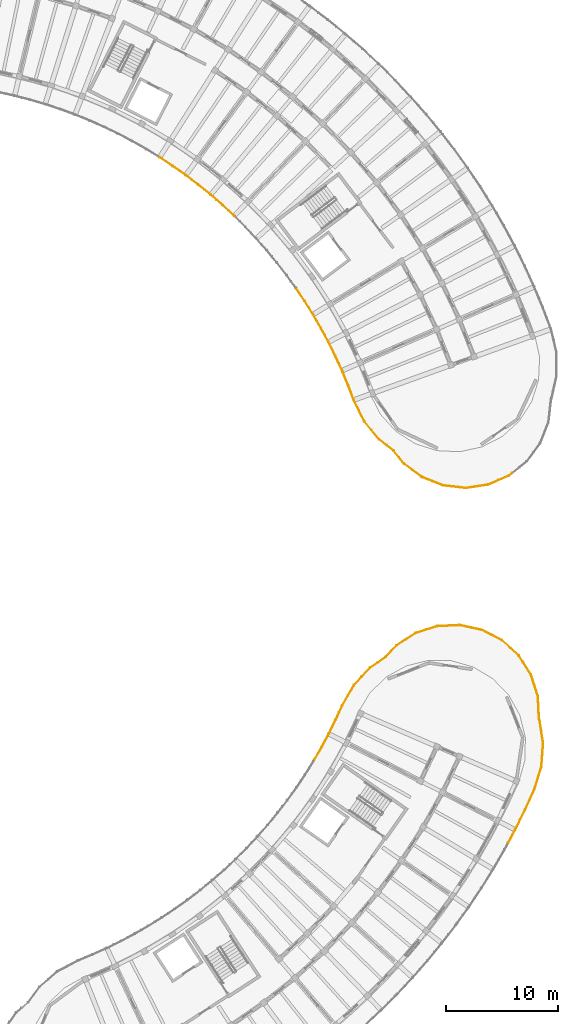
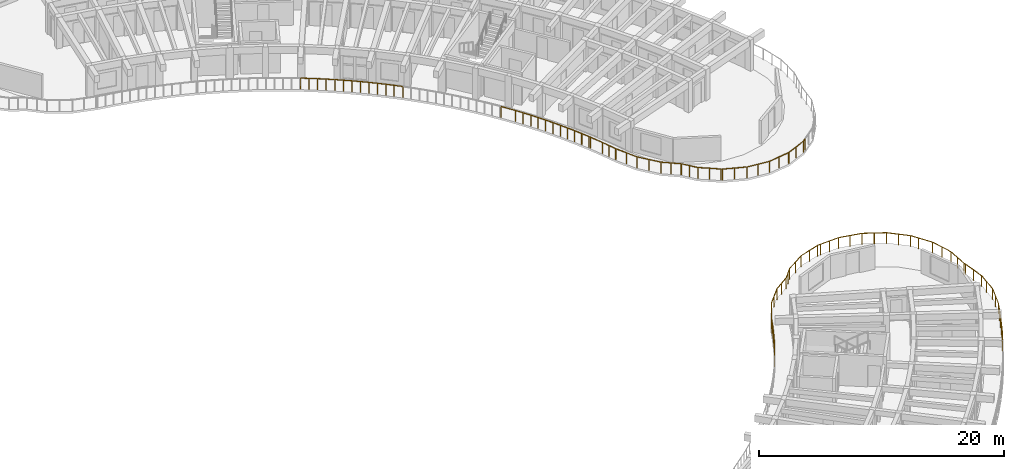
# One storey, part 79 of 83: 10 railings.
"""IFC4 building model written with IfcOpenShell, lengths in metres."""

from ifc_helpers import new_model, si_unit, direction, frame, origin, origin_2d, place, context, subcontext, project, spatial, circle, extrude, material, type_object, element, save


model = new_model("IFC4")

# Units and contexts
model_context = context("Model", 3, precision=1e-05, world=origin(), true_north=direction((0.0, 1.0)))
body_context = subcontext(model_context, "Body", "Model", "MODEL_VIEW")
ifc_project = project(units=[si_unit("LENGTHUNIT", "METRE"), si_unit("AREAUNIT", "SQUARE_METRE"), si_unit("VOLUMEUNIT", "CUBIC_METRE"), si_unit("PLANEANGLEUNIT", "RADIAN"), si_unit("MASSUNIT", "GRAM", prefix="KILO")], contexts=[model_context])

# Site, building, storey
site_placement = place(None, origin())
site = spatial("IfcSite", under=ifc_project, at=site_placement, CompositionType="ELEMENT")
building_placement = place(site_placement, origin())
building = spatial("IfcBuilding", under=site, at=building_placement, Name="Tanwirah Colonnade Gardens", CompositionType="ELEMENT")
storey_placement = place(building_placement, frame((0.0, 0.0, 25.639892578125)))
storey = spatial("IfcBuildingStorey", under=building, at=storey_placement, Name="L07", CompositionType="ELEMENT", Elevation=25.639892578125)

# Railings
ifc_material = material(Name="Precast concrete C40/50", Category="concrete")
railing_type_1 = type_object("IfcRailingType", Name="BAL-EXT110", PredefinedType="BALUSTRADE", material=ifc_material)
railing_1_placement = place(storey_placement, frame((157.674560546875, 42.6748046875, 0.0)))
element("IfcRailing", 1, at=railing_1_placement, inside=storey, type_object=railing_type_1, Name="Block D L07 Balcony Ribbon Balustrade 5", PredefinedType="BALUSTRADE", context=body_context, shape_type="SweptSolid", body=[
    extrude(circle(Radius=0.02392578125, at=origin_2d()), frame((0.015625, 0.027099609375, 1.076171875), z_axis=(0.500980797025, 0.865458399354, 0.0), x_axis=(-0.865458399354, 0.500980797025, 0.0)), (0.0, 0.0, 1.0), 1.15185546875),
    extrude(circle(Radius=0.02392578125, at=origin_2d()), frame((0.624267578125, 1.080810546875, 1.076171875), z_axis=(0.472323466806, 0.881425290484, 0.0), x_axis=(-0.881425290484, 0.472323466806, 0.0)), (0.0, 0.0, 1.0), 1.33154296875),
    extrude(circle(Radius=0.02392578125, at=origin_2d()), frame((1.283203125, 2.3125, 1.076171875), z_axis=(0.443286097627, 0.896380184771, 0.0), x_axis=(-0.896380184771, 0.443286097627, 0.0)), (0.0, 0.0, 1.0), 1.33154296875),
    extrude(circle(Radius=0.02392578125, at=origin_2d()), frame((1.9013671875, 3.56494140625, 1.076171875), z_axis=(0.413604450522, 0.9104566758, 0.0), x_axis=(-0.9104566758, 0.413604450522, 0.0)), (0.0, 0.0, 1.0), 1.32763671875),
    extrude(circle(Radius=0.02392578125, at=origin_2d()), frame((2.47900390625, 4.8291015625, 1.076171875), z_axis=(0.499001626878, 0.866601047988, 0.0), x_axis=(-0.866601047988, 0.499001626878, 0.0)), (0.0, 0.0, 1.0), 2.029541015625),
    extrude(circle(Radius=0.02392578125, at=origin_2d()), frame((3.528564453125, 6.637939453125, 1.076171875), z_axis=(0.679316204003, 0.733845688806, 0.0), x_axis=(-0.733845688806, 0.679316204003, 0.0)), (0.0, 0.0, 1.0), 0.94482421875),
    extrude(circle(Radius=0.02099609375, at=origin_2d()), origin(), (0.0, 0.0, 1.0), 1.049072265625),
    extrude(circle(Radius=0.02099609375, at=origin_2d()), frame((0.6083984375, 1.051025390625, 0.0)), (0.0, 0.0, 1.0), 1.049072265625),
    extrude(circle(Radius=0.02099609375, at=origin_2d()), frame((0.93896484375, 1.66748046875, 0.0)), (0.0, 0.0, 1.0), 1.049072265625),
    extrude(circle(Radius=0.02099609375, at=origin_2d()), frame((1.26806640625, 2.281982421875, 0.0)), (0.0, 0.0, 1.0), 1.049072265625),
    extrude(circle(Radius=0.02099609375, at=origin_2d()), frame((1.578125, 2.9091796875, 0.0)), (0.0, 0.0, 1.0), 1.049072265625),
    extrude(circle(Radius=0.02099609375, at=origin_2d()), frame((1.88720703125, 3.533935546875, 0.0)), (0.0, 0.0, 1.0), 1.049072265625),
    extrude(circle(Radius=0.02099609375, at=origin_2d()), frame((2.17578125, 4.169189453125, 0.0)), (0.0, 0.0, 1.0), 1.049072265625),
    extrude(circle(Radius=0.02099609375, at=origin_2d()), frame((2.46337890625, 4.802001953125, 0.0)), (0.0, 0.0, 1.0), 1.049072265625),
    extrude(circle(Radius=0.02099609375, at=origin_2d()), frame((2.9853515625, 5.70849609375, 0.0)), (0.0, 0.0, 1.0), 1.049072265625),
    extrude(circle(Radius=0.02099609375, at=origin_2d()), frame((3.50732421875, 6.614990234375, 0.0)), (0.0, 0.0, 1.0), 1.049072265625),
    extrude(circle(Radius=0.02099609375, at=origin_2d()), frame((4.191650390625, 7.354248046875, 0.0)), (0.0, 0.0, 1.0), 1.049072265625),
])
railing_2_placement = place(storey_placement, frame((161.8662109375, 50.029052734375, 0.0)))
element("IfcRailing", 2, at=railing_2_placement, inside=storey, type_object=railing_type_1, Name="Block D L07 Balcony Ribbon Balustrade 6", PredefinedType="BALUSTRADE", context=body_context, shape_type="SweptSolid", body=[
    extrude(circle(Radius=0.02392578125, at=origin_2d()), frame((0.021240234375, 0.02294921875, 1.076171875), z_axis=(0.679209558876, 0.733944395122, 0.0), x_axis=(-0.733944395122, 0.679209558876, 0.0)), (0.0, 0.0, 1.0), 1.016845703125),
    extrude(circle(Radius=0.02392578125, at=origin_2d()), frame((0.759033203125, 0.809814453125, 1.076171875), z_axis=(0.825478575894, 0.564433451117, 0.0), x_axis=(-0.564433451117, 0.825478575894, 0.0)), (0.0, 0.0, 1.0), 1.64990234375),
    extrude(circle(Radius=0.02392578125, at=origin_2d()), frame((2.181884765625, 1.794189453125, 1.076171875), z_axis=(0.672364089098, 0.740220596641, 0.0), x_axis=(-0.740220596641, 0.672364089098, 0.0)), (0.0, 0.0, 1.0), 1.3154296875),
    extrude(circle(Radius=0.02392578125, at=origin_2d()), frame((3.11376953125, 2.807861328125, 1.076171875), z_axis=(0.841052487172, 0.540953522792, 0.0), x_axis=(-0.540953522792, 0.841052487172, 0.0)), (0.0, 0.0, 1.0), 1.95263671875),
    extrude(circle(Radius=0.02392578125, at=origin_2d()), frame((4.81201171875, 3.890625, 1.076171875), z_axis=(0.952407264787, 0.304828479609, 0.0), x_axis=(-0.304828479609, 0.952407264787, 0.0)), (0.0, 0.0, 1.0), 1.95263671875),
    extrude(circle(Radius=0.02392578125, at=origin_2d()), frame((6.732666015625, 4.496826171875, 1.076171875), z_axis=(0.998858290933, 0.047771483479, 0.0), x_axis=(-0.047771483479, 0.998858290933, 0.0)), (0.0, 0.0, 1.0), 0.218505859375),
    extrude(circle(Radius=0.02099609375, at=origin_2d()), origin(), (0.0, 0.0, 1.0), 1.049072265625),
    extrude(circle(Radius=0.02099609375, at=origin_2d()), frame((0.733154296875, 0.792236328125, 0.0)), (0.0, 0.0, 1.0), 1.049072265625),
    extrude(circle(Radius=0.02099609375, at=origin_2d()), frame((1.43994140625, 1.275390625, 0.0)), (0.0, 0.0, 1.0), 1.049072265625),
    extrude(circle(Radius=0.02099609375, at=origin_2d()), frame((2.146728515625, 1.7587890625, 0.0)), (0.0, 0.0, 1.0), 1.049072265625),
    extrude(circle(Radius=0.02099609375, at=origin_2d()), frame((2.6240234375, 2.281005859375, 0.0)), (0.0, 0.0, 1.0), 1.049072265625),
    extrude(circle(Radius=0.02099609375, at=origin_2d()), frame((3.08740234375, 2.791015625, 0.0)), (0.0, 0.0, 1.0), 1.049072265625),
    extrude(circle(Radius=0.02099609375, at=origin_2d()), frame((3.934814453125, 3.3359375, 0.0)), (0.0, 0.0, 1.0), 1.049072265625),
    extrude(circle(Radius=0.02099609375, at=origin_2d()), frame((4.7822265625, 3.881103515625, 0.0)), (0.0, 0.0, 1.0), 1.049072265625),
    extrude(circle(Radius=0.02099609375, at=origin_2d()), frame((5.74169921875, 4.188232421875, 0.0)), (0.0, 0.0, 1.0), 1.049072265625),
    extrude(circle(Radius=0.02099609375, at=origin_2d()), frame((6.701416015625, 4.495361328125, 0.0)), (0.0, 0.0, 1.0), 1.049072265625),
    extrude(circle(Radius=0.02099609375, at=origin_2d()), frame((6.982177734375, 4.5087890625, 0.0)), (0.0, 0.0, 1.0), 1.049072265625),
])
railing_3_placement = place(storey_placement, frame((168.848388671875, 54.537841796875, 0.0)))
element("IfcRailing", 3, at=railing_3_placement, inside=storey, type_object=railing_type_1, Name="Block D L07 Balcony Ribbon Balustrade 7", PredefinedType="BALUSTRADE", context=body_context, shape_type="SweptSolid", body=[
    extrude(circle(Radius=0.02392578125, at=origin_2d()), frame((0.03125, 0.00146484375, 1.076171875), z_axis=(0.998846693933, 0.048013352499, 0.0), x_axis=(-0.048013352499, 0.998846693933, 0.0)), (0.0, 0.0, 1.0), 1.67138671875),
    extrude(circle(Radius=0.02392578125, at=origin_2d()), frame((1.762451171875, 0.07666015625, 1.076171875), z_axis=(0.977238649048, -0.212142930137, 0.0), x_axis=(0.212142930137, 0.977238649048, 0.0)), (0.0, 0.0, 1.0), 1.95263671875),
    extrude(circle(Radius=0.02392578125, at=origin_2d()), frame((3.72900390625, -0.358642578125, 1.076171875), z_axis=(0.889032840615, -0.457843432091, 0.0), x_axis=(0.457843432091, 0.889032840615, 0.0)), (0.0, 0.0, 1.0), 1.95263671875),
    extrude(circle(Radius=0.02392578125, at=origin_2d()), frame((5.515869140625, -1.287841796875, 1.076171875), z_axis=(0.740214102403, -0.67237123868, 0.0), x_axis=(0.67237123868, 0.740214102403, 0.0)), (0.0, 0.0, 1.0), 1.95263671875),
    extrude(circle(Radius=0.02392578125, at=origin_2d()), frame((7.001220703125, -2.648193359375, 1.076171875), z_axis=(0.540945894909, -0.841057393274, 0.0), x_axis=(0.841057393274, 0.540945894909, 0.0)), (0.0, 0.0, 1.0), 0.658203125),
    extrude(circle(Radius=0.02099609375, at=origin_2d()), origin(), (0.0, 0.0, 1.0), 1.049072265625),
    extrude(circle(Radius=0.02099609375, at=origin_2d()), frame((0.865966796875, 0.04150390625, 0.0)), (0.0, 0.0, 1.0), 1.049072265625),
    extrude(circle(Radius=0.02099609375, at=origin_2d()), frame((1.73193359375, 0.083251953125, 0.0)), (0.0, 0.0, 1.0), 1.049072265625),
    extrude(circle(Radius=0.02099609375, at=origin_2d()), frame((2.716552734375, -0.13037109375, 0.0)), (0.0, 0.0, 1.0), 1.049072265625),
    extrude(circle(Radius=0.02099609375, at=origin_2d()), frame((3.701171875, -0.34423828125, 0.0)), (0.0, 0.0, 1.0), 1.049072265625),
    extrude(circle(Radius=0.02099609375, at=origin_2d()), frame((4.596923828125, -0.8056640625, 0.0)), (0.0, 0.0, 1.0), 1.049072265625),
    extrude(circle(Radius=0.02099609375, at=origin_2d()), frame((5.49267578125, -1.266845703125, 0.0)), (0.0, 0.0, 1.0), 1.049072265625),
    extrude(circle(Radius=0.02099609375, at=origin_2d()), frame((6.238525390625, -1.9443359375, 0.0)), (0.0, 0.0, 1.0), 1.049072265625),
    extrude(circle(Radius=0.02099609375, at=origin_2d()), frame((6.984375, -2.621826171875, 0.0)), (0.0, 0.0, 1.0), 1.049072265625),
    extrude(circle(Radius=0.02099609375, at=origin_2d()), frame((7.374267578125, -3.22802734375, 0.0)), (0.0, 0.0, 1.0), 1.049072265625),
])
railing_4_placement = place(storey_placement, frame((176.22265625, 51.309814453125, 0.0)))
element("IfcRailing", 4, at=railing_4_placement, inside=storey, type_object=railing_type_1, Name="Block D L07 Balcony Ribbon Balustrade 8", PredefinedType="BALUSTRADE", context=body_context, shape_type="SweptSolid", body=[
    extrude(circle(Radius=0.02392578125, at=origin_2d()), frame((0.016845703125, -0.0263671875, 1.076171875), z_axis=(0.540957770331, -0.841049755198, 0.0), x_axis=(0.841049755198, 0.540957770331, 0.0)), (0.0, 0.0, 1.0), 1.23193359375),
    extrude(circle(Radius=0.02392578125, at=origin_2d()), frame((0.709716796875, -1.118408203125, 1.076171875), z_axis=(0.30493837165, -0.952372085634, 0.0), x_axis=(0.952372085634, 0.30493837165, 0.0)), (0.0, 0.0, 1.0), 1.95263671875),
    extrude(circle(Radius=0.02392578125, at=origin_2d()), frame((1.316162109375, -3.0390625, 1.076171875), z_axis=(0.047930923914, -0.998850652767, 0.0), x_axis=(0.998850652767, 0.047930923914, 0.0)), (0.0, 0.0, 1.0), 1.903564453125),
    extrude(circle(Radius=0.02392578125, at=origin_2d()), frame((1.42578125, -5.026123046875, 1.076171875), z_axis=(0.366668073406, -0.930351828044, 0.0), x_axis=(0.930351828044, 0.366668073406, 0.0)), (0.0, 0.0, 1.0), 0.0712890625),
    extrude(circle(Radius=0.02392578125, at=origin_2d()), frame((1.468017578125, -5.152587890625, 1.076171875), z_axis=(0.150325173469, -0.988636607769, 0.0), x_axis=(0.988636607769, 0.150325173469, 0.0)), (0.0, 0.0, 1.0), 2.0244140625),
    extrude(circle(Radius=0.02392578125, at=origin_2d()), frame((1.77490234375, -7.216064453125, 1.076171875), z_axis=(-0.073678488287, -0.997282046546, 0.0), x_axis=(0.997282046546, -0.073678488287, 0.0)), (0.0, 0.0, 1.0), 0.9150390625),
    extrude(circle(Radius=0.02099609375, at=origin_2d()), origin(), (0.0, 0.0, 1.0), 1.049072265625),
    extrude(circle(Radius=0.02099609375, at=origin_2d()), frame((0.7001953125, -1.088623046875, 0.0)), (0.0, 0.0, 1.0), 1.049072265625),
    extrude(circle(Radius=0.02099609375, at=origin_2d()), frame((1.00732421875, -2.04833984375, 0.0)), (0.0, 0.0, 1.0), 1.049072265625),
    extrude(circle(Radius=0.02099609375, at=origin_2d()), frame((1.314697265625, -3.0078125, 0.0)), (0.0, 0.0, 1.0), 1.049072265625),
    extrude(circle(Radius=0.02099609375, at=origin_2d()), frame((1.36181640625, -3.98974609375, 0.0)), (0.0, 0.0, 1.0), 1.049072265625),
    extrude(circle(Radius=0.02099609375, at=origin_2d()), frame((1.408935546875, -4.9716796875, 0.0)), (0.0, 0.0, 1.0), 1.049072265625),
    extrude(circle(Radius=0.02099609375, at=origin_2d()), frame((1.46337890625, -5.12158203125, 0.0)), (0.0, 0.0, 1.0), 1.049072265625),
    extrude(circle(Radius=0.02099609375, at=origin_2d()), frame((1.6201171875, -6.1533203125, 0.0)), (0.0, 0.0, 1.0), 1.049072265625),
    extrude(circle(Radius=0.02099609375, at=origin_2d()), frame((1.777099609375, -7.184814453125, 0.0)), (0.0, 0.0, 1.0), 1.049072265625),
    extrude(circle(Radius=0.02099609375, at=origin_2d()), frame((1.705078125, -8.15966796875, 0.0)), (0.0, 0.0, 1.0), 1.049072265625),
])
railing_5_placement = place(storey_placement, frame((177.927734375, 43.150146484375, 0.0)))
element("IfcRailing", 5, at=railing_5_placement, inside=storey, type_object=railing_type_1, Name="Block D L07 Balcony Ribbon Balustrade 9", PredefinedType="BALUSTRADE", context=body_context, shape_type="SweptSolid", body=[
    extrude(circle(Radius=0.02392578125, at=origin_2d()), frame((-0.002197265625, -0.03125, 1.076171875), z_axis=(-0.073514949125, -0.997294115221, 0.0), x_axis=(0.997294115221, -0.073514949125, 0.0)), (0.0, 0.0, 1.0), 1.046630859375),
    extrude(circle(Radius=0.02392578125, at=origin_2d()), frame((-0.0908203125, -1.135986328125, 1.076171875), z_axis=(-0.293544269922, -0.955945480452, 0.0), x_axis=(0.955945480452, -0.293544269922, 0.0)), (0.0, 0.0, 1.0), 2.0283203125),
    extrude(circle(Radius=0.02392578125, at=origin_2d()), frame((-0.708251953125, -3.133544921875, 1.076171875), z_axis=(-0.413646790889, -0.910437440128, 0.0), x_axis=(0.910437440128, -0.413646790889, 0.0)), (0.0, 0.0, 1.0), 1.940185546875),
    extrude(circle(Radius=0.02392578125, at=origin_2d()), frame((-1.53759765625, -4.956298828125, 1.076171875), z_axis=(-0.443316350815, -0.896365223054, 0.0), x_axis=(0.896365223054, -0.443316350815, 0.0)), (0.0, 0.0, 1.0), 1.9443359375),
    extrude(circle(Radius=0.02392578125, at=origin_2d()), frame((-2.427978515625, -6.754638671875, 1.076171875), z_axis=(-0.472384148597, -0.88139277065, 0.0), x_axis=(0.88139277065, -0.472384148597, 0.0)), (0.0, 0.0, 1.0), 1.22802734375),
    extrude(circle(Radius=0.02099609375, at=origin_2d()), origin(), (0.0, 0.0, 1.0), 1.049072265625),
    extrude(circle(Radius=0.02099609375, at=origin_2d()), frame((-0.08154296875, -1.106201171875, 0.0)), (0.0, 0.0, 1.0), 1.049072265625),
    extrude(circle(Radius=0.02099609375, at=origin_2d()), frame((-0.388427734375, -2.10546875, 0.0)), (0.0, 0.0, 1.0), 1.049072265625),
    extrude(circle(Radius=0.02099609375, at=origin_2d()), frame((-0.6953125, -3.10498046875, 0.0)), (0.0, 0.0, 1.0), 1.049072265625),
    extrude(circle(Radius=0.02099609375, at=origin_2d()), frame((-1.109375, -4.0166015625, 0.0)), (0.0, 0.0, 1.0), 1.049072265625),
    extrude(circle(Radius=0.02099609375, at=origin_2d()), frame((-1.523681640625, -4.92822265625, 0.0)), (0.0, 0.0, 1.0), 1.049072265625),
    extrude(circle(Radius=0.02099609375, at=origin_2d()), frame((-1.968505859375, -5.82763671875, 0.0)), (0.0, 0.0, 1.0), 1.049072265625),
    extrude(circle(Radius=0.02099609375, at=origin_2d()), frame((-2.413330078125, -6.72705078125, 0.0)), (0.0, 0.0, 1.0), 1.049072265625),
    extrude(circle(Radius=0.02099609375, at=origin_2d()), frame((-3.02294921875, -7.864501953125, 0.0)), (0.0, 0.0, 1.0), 1.049072265625),
])
railing_type_2 = type_object("IfcRailingType", Name="BAL-EXT112", PredefinedType="BALUSTRADE", material=ifc_material)
railing_6_placement = place(storey_placement, frame((164.715576171875, 70.1181640625, 0.0)))
element("IfcRailing", 6, at=railing_6_placement, inside=storey, type_object=railing_type_2, Name="Block B L07 Balcony Ribbon Balustrade 1", PredefinedType="BALUSTRADE", context=body_context, shape_type="SweptSolid", body=[
    extrude(circle(Radius=0.02392578125, at=origin_2d()), frame((-0.024658203125, 0.019287109375, 1.09619140625), z_axis=(-0.787168969209, 0.616737394614, 0.0), x_axis=(-0.616737394614, -0.787168969209, 0.0)), (0.0, 0.0, 1.0), 1.609130859375),
    extrude(circle(Radius=0.02392578125, at=origin_2d()), frame((-1.335693359375, 1.05517578125, 1.09619140625), z_axis=(-0.630200574628, 0.776432376797, 0.0), x_axis=(-0.776432376797, -0.630200574628, 0.0)), (0.0, 0.0, 1.0), 2.0244140625),
    extrude(circle(Radius=0.02392578125, at=origin_2d()), frame((-2.64501953125, 2.679443359375, 1.09619140625), z_axis=(-0.441603094029, 0.897210514508, 0.0), x_axis=(-0.897210514508, -0.441603094029, 0.0)), (0.0, 0.0, 1.0), 2.029541015625),
    extrude(circle(Radius=0.02392578125, at=origin_2d()), frame((-3.56591796875, 4.5576171875, 1.09619140625), z_axis=(-0.353834404232, 0.935308085276, 0.0), x_axis=(-0.935308085276, -0.353834404232, 0.0)), (0.0, 0.0, 1.0), 1.338134765625),
    extrude(circle(Radius=0.02392578125, at=origin_2d()), frame((-4.0634765625, 5.86962890625, 1.09619140625), z_axis=(-0.384392791067, 0.923169638894, 0.0), x_axis=(-0.923169638894, -0.384392791067, 0.0)), (0.0, 0.0, 1.0), 1.18359375),
    extrude(circle(Radius=0.02099609375, at=origin_2d()), origin(), (0.0, 0.0, 1.0), 1.069091796875),
    extrude(circle(Radius=0.02099609375, at=origin_2d()), frame((-0.657958984375, 0.515625, 0.0)), (0.0, 0.0, 1.0), 1.069091796875),
    extrude(circle(Radius=0.02099609375, at=origin_2d()), frame((-1.31591796875, 1.031005859375, 0.0)), (0.0, 0.0, 1.0), 1.069091796875),
    extrude(circle(Radius=0.02099609375, at=origin_2d()), frame((-1.9736328125, 1.84130859375, 0.0)), (0.0, 0.0, 1.0), 1.069091796875),
    extrude(circle(Radius=0.02099609375, at=origin_2d()), frame((-2.631103515625, 2.6513671875, 0.0)), (0.0, 0.0, 1.0), 1.069091796875),
    extrude(circle(Radius=0.02099609375, at=origin_2d()), frame((-3.093017578125, 3.58984375, 0.0)), (0.0, 0.0, 1.0), 1.069091796875),
    extrude(circle(Radius=0.02099609375, at=origin_2d()), frame((-3.554931640625, 4.5283203125, 0.0)), (0.0, 0.0, 1.0), 1.069091796875),
    extrude(circle(Radius=0.02099609375, at=origin_2d()), frame((-3.802734375, 5.183349609375, 0.0)), (0.0, 0.0, 1.0), 1.069091796875),
    extrude(circle(Radius=0.02099609375, at=origin_2d()), frame((-4.050537109375, 5.83837890625, 0.0)), (0.0, 0.0, 1.0), 1.069091796875),
    extrude(circle(Radius=0.02099609375, at=origin_2d()), frame((-4.530517578125, 6.9912109375, 0.0)), (0.0, 0.0, 1.0), 1.069091796875),
])
railing_7_placement = place(storey_placement, frame((160.18505859375, 77.109375, 0.0)))
element("IfcRailing", 7, at=railing_7_placement, inside=storey, type_object=railing_type_2, Name="Block B L07 Balcony Ribbon Balustrade 2", PredefinedType="BALUSTRADE", context=body_context, shape_type="SweptSolid", body=[
    extrude(circle(Radius=0.02392578125, at=origin_2d()), frame((-0.011962890625, 0.02880859375, 1.09619140625), z_axis=(-0.385710623213, 0.922619810724, 0.0), x_axis=(-0.922619810724, -0.385710623213, 0.0)), (0.0, 0.0, 1.0), 0.095703125),
    extrude(circle(Radius=0.02392578125, at=origin_2d()), frame((-0.074951171875, 0.177001953125, 1.09619140625), z_axis=(-0.414654197084, 0.909979063957, 0.0), x_axis=(-0.909979063957, -0.414654197084, 0.0)), (0.0, 0.0, 1.0), 1.341796875),
    extrude(circle(Radius=0.02392578125, at=origin_2d()), frame((-0.659423828125, 1.456787109375, 1.09619140625), z_axis=(-0.444499692011, 0.895779003885, 0.0), x_axis=(-0.895779003885, -0.444499692011, 0.0)), (0.0, 0.0, 1.0), 1.341796875),
    extrude(circle(Radius=0.02392578125, at=origin_2d()), frame((-1.285888671875, 2.716552734375, 1.09619140625), z_axis=(-0.473716211853, 0.880677552018, 0.0), x_axis=(-0.880677552018, -0.473716211853, 0.0)), (0.0, 0.0, 1.0), 1.341796875),
    extrude(circle(Radius=0.02392578125, at=origin_2d()), frame((-1.953125, 3.955078125, 1.09619140625), z_axis=(-0.502378729104, 0.864647681165, 0.0), x_axis=(-0.864647681165, -0.502378729104, 0.0)), (0.0, 0.0, 1.0), 1.342041015625),
    extrude(circle(Radius=0.02392578125, at=origin_2d()), frame((-2.6611328125, 5.171142578125, 1.09619140625), z_axis=(-0.530764445851, 0.847519382091, 0.0), x_axis=(-0.847519382091, -0.530764445851, 0.0)), (0.0, 0.0, 1.0), 1.341796875),
    extrude(circle(Radius=0.02392578125, at=origin_2d()), frame((-3.40869140625, 6.36279296875, 1.09619140625), z_axis=(-0.55836645915, 0.829594417349, 0.0), x_axis=(-0.829594417349, -0.55836645915, 0.0)), (0.0, 0.0, 1.0), 1.24169921875),
    extrude(circle(Radius=0.02099609375, at=origin_2d()), origin(), (0.0, 0.0, 1.0), 1.069091796875),
    extrude(circle(Radius=0.02099609375, at=origin_2d()), frame((-0.06103515625, 0.14599609375, 0.0)), (0.0, 0.0, 1.0), 1.069091796875),
    extrude(circle(Radius=0.02099609375, at=origin_2d()), frame((-0.35302734375, 0.787353515625, 0.0)), (0.0, 0.0, 1.0), 1.069091796875),
    extrude(circle(Radius=0.02099609375, at=origin_2d()), frame((-0.644287109375, 1.42626953125, 0.0)), (0.0, 0.0, 1.0), 1.069091796875),
    extrude(circle(Radius=0.02099609375, at=origin_2d()), frame((-0.95751953125, 2.0576171875, 0.0)), (0.0, 0.0, 1.0), 1.069091796875),
    extrude(circle(Radius=0.02099609375, at=origin_2d()), frame((-1.269775390625, 2.686767578125, 0.0)), (0.0, 0.0, 1.0), 1.069091796875),
    extrude(circle(Radius=0.02099609375, at=origin_2d()), frame((-1.603515625, 3.307373046875, 0.0)), (0.0, 0.0, 1.0), 1.069091796875),
    extrude(circle(Radius=0.02099609375, at=origin_2d()), frame((-1.936279296875, 3.92578125, 0.0)), (0.0, 0.0, 1.0), 1.069091796875),
    extrude(circle(Radius=0.02099609375, at=origin_2d()), frame((-2.290283203125, 4.53515625, 0.0)), (0.0, 0.0, 1.0), 1.069091796875),
    extrude(circle(Radius=0.02099609375, at=origin_2d()), frame((-2.64306640625, 5.142333984375, 0.0)), (0.0, 0.0, 1.0), 1.069091796875),
    extrude(circle(Radius=0.02099609375, at=origin_2d()), frame((-3.01708984375, 5.73974609375, 0.0)), (0.0, 0.0, 1.0), 1.069091796875),
    extrude(circle(Radius=0.02099609375, at=origin_2d()), frame((-3.389892578125, 6.334716796875, 0.0)), (0.0, 0.0, 1.0), 1.069091796875),
    extrude(circle(Radius=0.02099609375, at=origin_2d()), frame((-4.11962890625, 7.4189453125, 0.0)), (0.0, 0.0, 1.0), 1.069091796875),
])
railing_8_placement = place(storey_placement, frame((150.5595703125, 90.98583984375, 0.0)))
element("IfcRailing", 8, at=railing_8_placement, inside=storey, type_object=railing_type_2, Name="Block B L07 Balcony Ribbon Balustrade 4", PredefinedType="BALUSTRADE", context=body_context, shape_type="SweptSolid", body=[
    extrude(circle(Radius=0.02392578125, at=origin_2d()), frame((-0.0546875, 0.052490234375, 1.09619140625), z_axis=(-0.73336899588, 0.679830799451, 0.0), x_axis=(-0.679830799451, -0.73336899588, 0.0)), (0.0, 0.0, 1.0), 1.342041015625),
    extrude(circle(Radius=0.02392578125, at=origin_2d()), frame((-1.08740234375, 1.00830078125, 1.09619140625), z_axis=(-0.755402192857, 0.655261418845, 0.0), x_axis=(-0.655261418845, -0.755402192857, 0.0)), (0.0, 0.0, 1.0), 1.341796875),
    extrude(circle(Radius=0.02392578125, at=origin_2d()), frame((-2.150634765625, 1.929443359375, 1.09619140625), z_axis=(-0.776491375378, 0.630127879056, 0.0), x_axis=(-0.630127879056, -0.776491375378, 0.0)), (0.0, 0.0, 1.0), 1.342041015625),
    extrude(circle(Radius=0.02392578125, at=origin_2d()), frame((-3.243896484375, 2.81494140625, 1.09619140625), z_axis=(-0.796818244666, 0.604219070344, 0.0), x_axis=(-0.604219070344, -0.796818244666, 0.0)), (0.0, 0.0, 1.0), 1.342041015625),
    extrude(circle(Radius=0.02392578125, at=origin_2d()), frame((-4.365966796875, 3.664306640625, 1.09619140625), z_axis=(-0.816321661452, 0.577597563226, 0.0), x_axis=(-0.577597563226, -0.816321661452, 0.0)), (0.0, 0.0, 1.0), 1.341552734375),
    extrude(circle(Radius=0.02392578125, at=origin_2d()), frame((-5.514892578125, 4.475830078125, 1.09619140625), z_axis=(-0.834927342507, 0.550360184547, 0.0), x_axis=(-0.550360184547, -0.834927342507, 0.0)), (0.0, 0.0, 1.0), 1.341796875),
    extrude(circle(Radius=0.02099609375, at=origin_2d()), origin(), (0.0, 0.0, 1.0), 1.069091796875),
    extrude(circle(Radius=0.02099609375, at=origin_2d()), frame((-0.546875, 0.5087890625, 0.0)), (0.0, 0.0, 1.0), 1.069091796875),
    extrude(circle(Radius=0.02099609375, at=origin_2d()), frame((-1.061767578125, 0.986083984375, 0.0)), (0.0, 0.0, 1.0), 1.069091796875),
    extrude(circle(Radius=0.02099609375, at=origin_2d()), frame((-1.59423828125, 1.44775390625, 0.0)), (0.0, 0.0, 1.0), 1.069091796875),
    extrude(circle(Radius=0.02099609375, at=origin_2d()), frame((-2.12451171875, 1.907958984375, 0.0)), (0.0, 0.0, 1.0), 1.069091796875),
    extrude(circle(Radius=0.02099609375, at=origin_2d()), frame((-2.671875, 2.35205078125, 0.0)), (0.0, 0.0, 1.0), 1.069091796875),
    extrude(circle(Radius=0.02099609375, at=origin_2d()), frame((-3.217041015625, 2.794677734375, 0.0)), (0.0, 0.0, 1.0), 1.069091796875),
    extrude(circle(Radius=0.02099609375, at=origin_2d()), frame((-3.778564453125, 3.220458984375, 0.0)), (0.0, 0.0, 1.0), 1.069091796875),
    extrude(circle(Radius=0.02099609375, at=origin_2d()), frame((-4.338134765625, 3.644775390625, 0.0)), (0.0, 0.0, 1.0), 1.069091796875),
    extrude(circle(Radius=0.02099609375, at=origin_2d()), frame((-4.91357421875, 4.0517578125, 0.0)), (0.0, 0.0, 1.0), 1.069091796875),
    extrude(circle(Radius=0.02099609375, at=origin_2d()), frame((-5.486572265625, 4.457275390625, 0.0)), (0.0, 0.0, 1.0), 1.069091796875),
    extrude(circle(Radius=0.02099609375, at=origin_2d()), frame((-6.0751953125, 4.84521484375, 0.0)), (0.0, 0.0, 1.0), 1.069091796875),
    extrude(circle(Radius=0.02099609375, at=origin_2d()), frame((-6.661376953125, 5.231689453125, 0.0)), (0.0, 0.0, 1.0), 1.069091796875),
])
railing_9_placement = place(storey_placement, frame((175.2333984375, 68.1328125, 0.0)))
element("IfcRailing", 9, at=railing_9_placement, inside=storey, type_object=railing_type_2, Name="Block B L07 Balcony Ribbon Balustrade 20", PredefinedType="BALUSTRADE", context=body_context, shape_type="SweptSolid", body=[
    extrude(circle(Radius=0.02392578125, at=origin_2d()), frame((-0.0244140625, -0.01953125, 1.09619140625), z_axis=(-0.782647726074, -0.622464888063, 0.0), x_axis=(0.622464888063, -0.782647726074, 0.0)), (0.0, 0.0, 1.0), 0.284912109375),
    extrude(circle(Radius=0.02392578125, at=origin_2d()), frame((-0.300537109375, -0.228759765625, 1.09619140625), z_axis=(-0.917039238571, -0.398796984594, 0.0), x_axis=(0.398796984594, -0.917039238571, 0.0)), (0.0, 0.0, 1.0), 1.952880859375),
    extrude(circle(Radius=0.02392578125, at=origin_2d()), frame((-2.151123046875, -1.024658203125, 1.09619140625), z_axis=(-0.989015305864, -0.147813141388, 0.0), x_axis=(0.147813141388, -0.989015305864, 0.0)), (0.0, 0.0, 1.0), 1.95263671875),
    extrude(circle(Radius=0.02392578125, at=origin_2d()), frame((-4.14404296875, -1.314208984375, 1.09619140625), z_axis=(-0.993563485203, 0.113276656342, 0.0), x_axis=(-0.113276656342, -0.993563485203, 0.0)), (0.0, 0.0, 1.0), 1.95263671875),
    extrude(circle(Radius=0.02392578125, at=origin_2d()), frame((-6.144287109375, -1.078125, 1.09619140625), z_axis=(-0.930427170711, 0.366476847839, 0.0), x_axis=(-0.366476847839, -0.930427170711, 0.0)), (0.0, 0.0, 1.0), 1.95263671875),
    extrude(circle(Radius=0.02392578125, at=origin_2d()), frame((-8.015380859375, -0.33251953125, 1.09619140625), z_axis=(-0.803180127116, 0.595736253225, 0.0), x_axis=(-0.595736253225, -0.803180127116, 0.0)), (0.0, 0.0, 1.0), 0.029296875),
    extrude(circle(Radius=0.02099609375, at=origin_2d()), origin(), (0.0, 0.0, 1.0), 1.069091796875),
    extrude(circle(Radius=0.02099609375, at=origin_2d()), frame((-0.27197265625, -0.21630859375, 0.0)), (0.0, 0.0, 1.0), 1.069091796875),
    extrude(circle(Radius=0.02099609375, at=origin_2d()), frame((-1.196044921875, -0.6181640625, 0.0)), (0.0, 0.0, 1.0), 1.069091796875),
    extrude(circle(Radius=0.02099609375, at=origin_2d()), frame((-2.1201171875, -1.02001953125, 0.0)), (0.0, 0.0, 1.0), 1.069091796875),
    extrude(circle(Radius=0.02099609375, at=origin_2d()), frame((-3.11669921875, -1.1689453125, 0.0)), (0.0, 0.0, 1.0), 1.069091796875),
    extrude(circle(Radius=0.02099609375, at=origin_2d()), frame((-4.113037109375, -1.31787109375, 0.0)), (0.0, 0.0, 1.0), 1.069091796875),
    extrude(circle(Radius=0.02099609375, at=origin_2d()), frame((-5.1142578125, -1.20361328125, 0.0)), (0.0, 0.0, 1.0), 1.069091796875),
    extrude(circle(Radius=0.02099609375, at=origin_2d()), frame((-6.115234375, -1.089599609375, 0.0)), (0.0, 0.0, 1.0), 1.069091796875),
    extrude(circle(Radius=0.02099609375, at=origin_2d()), frame((-7.052734375, -0.72021484375, 0.0)), (0.0, 0.0, 1.0), 1.069091796875),
    extrude(circle(Radius=0.02099609375, at=origin_2d()), frame((-7.990234375, -0.35107421875, 0.0)), (0.0, 0.0, 1.0), 1.069091796875),
    extrude(circle(Radius=0.02099609375, at=origin_2d()), frame((-8.06396484375, -0.29638671875, 0.0)), (0.0, 0.0, 1.0), 1.069091796875),
])
railing_10_placement = place(storey_placement, frame((167.16943359375, 67.83642578125, 0.0)))
element("IfcRailing", 10, at=railing_10_placement, inside=storey, type_object=railing_type_2, Name="Block B L07 Balcony Ribbon Balustrade 21", PredefinedType="BALUSTRADE", context=body_context, shape_type="SweptSolid", body=[
    extrude(circle(Radius=0.02392578125, at=origin_2d()), frame((-0.025146484375, 0.0185546875, 1.09619140625), z_axis=(-0.803928083181, 0.594726522928, 0.0), x_axis=(-0.594726522928, -0.803928083181, 0.0)), (0.0, 0.0, 1.0), 1.860595703125),
    extrude(circle(Radius=0.02392578125, at=origin_2d()), frame((-1.565673828125, 1.168212890625, 1.09619140625), z_axis=(-0.622454986403, 0.78265560108, 0.0), x_axis=(-0.78265560108, -0.622454986403, 0.0)), (0.0, 0.0, 1.0), 1.37451171875),
    extrude(circle(Radius=0.02099609375, at=origin_2d()), origin(), (0.0, 0.0, 1.0), 1.069091796875),
    extrude(circle(Radius=0.02099609375, at=origin_2d()), frame((-0.77294921875, 0.57177734375, 0.0)), (0.0, 0.0, 1.0), 1.069091796875),
    extrude(circle(Radius=0.02099609375, at=origin_2d()), frame((-1.546142578125, 1.143798828125, 0.0)), (0.0, 0.0, 1.0), 1.069091796875),
    extrude(circle(Radius=0.02099609375, at=origin_2d()), frame((-1.993408203125, 1.7060546875, 0.0)), (0.0, 0.0, 1.0), 1.069091796875),
    extrude(circle(Radius=0.02099609375, at=origin_2d()), frame((-2.440673828125, 2.2685546875, 0.0)), (0.0, 0.0, 1.0), 1.069091796875),
])

save(model, "model.ifc")
